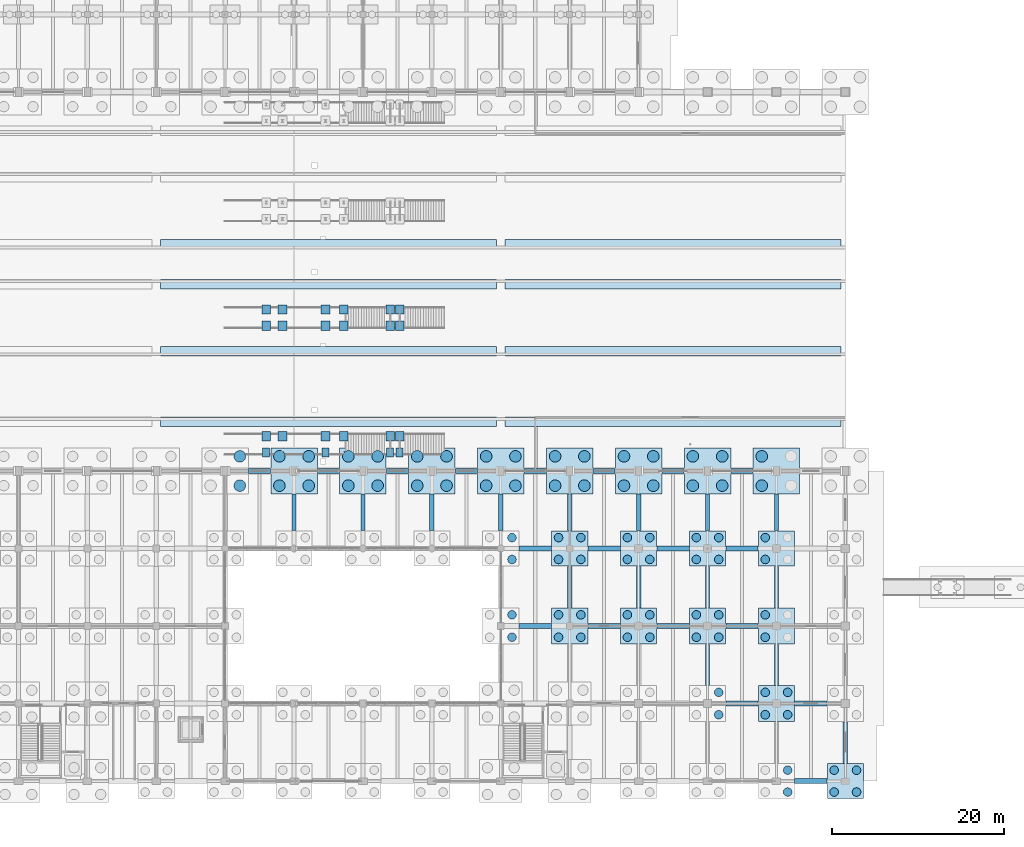
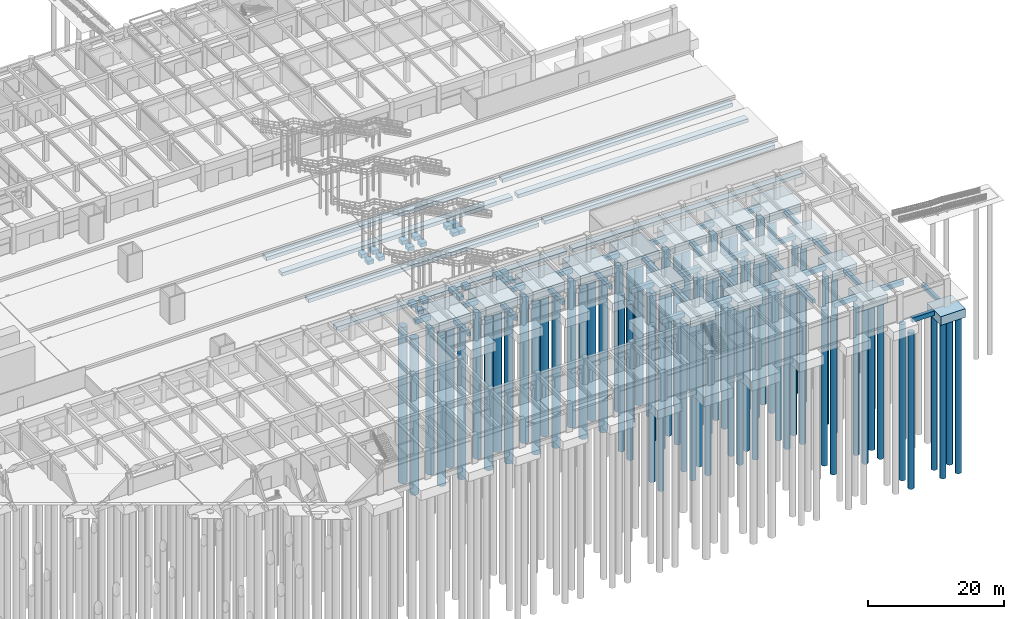
# One storey, part 8 of 147: 82 footings, 76 piles.
"""IFC4 building model written with IfcOpenShell, lengths in metres."""

from ifc_helpers import new_model, si_unit, direction, frame, origin, origin_2d, place, context, subcontext, project, spatial, rectangle, circle, extrude, material, layer, layer_set, material_profile, profile_set, type_object, element, save


model = new_model("IFC4")

# Units and contexts
model_context = context("Model", 3, precision=1e-05, world=origin(), true_north=direction((0.0, 1.0)))
body_context = subcontext(model_context, "Body", "Model", "MODEL_VIEW")
ifc_project = project(units=[si_unit("LENGTHUNIT", "METRE"), si_unit("AREAUNIT", "SQUARE_METRE"), si_unit("VOLUMEUNIT", "CUBIC_METRE"), si_unit("PLANEANGLEUNIT", "RADIAN"), si_unit("MASSUNIT", "GRAM", prefix="KILO")], contexts=[model_context])

# Site, building, storey
site_placement = place(None, origin())
site = spatial("IfcSite", under=ifc_project, at=site_placement, CompositionType="ELEMENT")
building_placement = place(site_placement, origin())
building = spatial("IfcBuilding", under=site, at=building_placement, Name="Varnabhumi Central Station", CompositionType="ELEMENT")
storey_placement = place(building_placement, origin())
storey = spatial("IfcBuildingStorey", under=building, at=storey_placement, Name="L00", CompositionType="ELEMENT", Elevation=0.0)

# Footings
ifc_material_1 = material(Name="Concrete M40", Category="concrete")
ifc_layer_1 = layer(ifc_material_1, 1.60009765625, Name="Concrete M40", Category="concrete")
ifc_layer_set_1 = layer_set([ifc_layer_1], Name="Concrete M40")
footing_type_1 = type_object("IfcFootingType", Name="CAP-SOUTH-INT", PredefinedType="PILE_CAP", material=ifc_layer_set_1)
for number, where, z_axis, x_axis, name in (
    (1, (152.0, 18.0, -1.900146484375), (0.0, 0.0, 1.0), (1.0, 0.0, 0.0), "Pile Cap 20-C"),
    (2, (160.0, 18.0, -1.900146484375), (0.0, 0.0, 1.0), (1.0, 0.0, 0.0), "Pile Cap 21-C"),
    (3, (168.0, 18.0, -1.900146484375), (0.0, 0.0, 1.0), (1.0, 0.0, 0.0), "Pile Cap 22-C"),
    (4, (176.0, 9.0, -1.900146484375), (0.0, 0.0, 1.0), (1.0, 0.0, 0.0), "Pile Cap 23-B"),
    (5, (176.0, 18.0, -1.900146484375), (0.0, 0.0, 1.0), (1.0, 0.0, 0.0), "Pile Cap 23-C"),
):
    element("IfcFooting", number, at=place(storey_placement, frame(where, z_axis=z_axis, x_axis=x_axis)), inside=storey, type_object=footing_type_1, Name=name, PredefinedType="PILE_CAP", context=body_context, shape_type="SweptSolid", body=[
        extrude(rectangle(XDim=4.199951171875, YDim=4.199951171875, at=origin_2d()), origin(), (0.0, 0.0, 1.0), 1.60009765625),
    ])
ifc_layer_2 = layer(ifc_material_1, 1.550048828125, Name="Concrete M40", Category="concrete")
ifc_layer_set_2 = layer_set([ifc_layer_2], Name="Concrete M40")
footing_type_2 = type_object("IfcFootingType", Name="CAP-SOUTH-PER", PredefinedType="PILE_CAP", material=ifc_layer_set_2)
for number, where, z_axis, x_axis, name in (
    (6, (152.0, 27.0, -1.85009765625), (0.0, 0.0, 1.0), (1.0, 0.0, 0.0), "Pile Cap 20-D"),
    (7, (160.0, 27.0, -1.85009765625), (0.0, 0.0, 1.0), (1.0, 0.0, 0.0), "Pile Cap 21-D"),
    (8, (168.0, 27.0, -1.85009765625), (0.0, 0.0, 1.0), (1.0, 0.0, 0.0), "Pile Cap 22-D"),
    (9, (176.0, 27.0, -1.85009765625), (0.0, 0.0, 1.0), (1.0, 0.0, 0.0), "Pile Cap 23-D"),
    (10, (184.0, 0.0, -1.85009765625), (0.0, 0.0, 1.0), (1.0, 0.0, 0.0), "Pile Cap 24-A"),
):
    element("IfcFooting", number, at=place(storey_placement, frame(where, z_axis=z_axis, x_axis=x_axis)), inside=storey, type_object=footing_type_2, Name=name, PredefinedType="PILE_CAP", context=body_context, shape_type="SweptSolid", body=[
        extrude(rectangle(XDim=4.199951171875, YDim=4.10009765625, at=origin_2d()), origin(), (0.0, 0.0, 1.0), 1.550048828125),
    ])
ifc_layer_3 = layer(ifc_material_1, 1.800048828125, Name="Concrete M40", Category="concrete")
ifc_layer_set_3 = layer_set([ifc_layer_3], Name="Concrete M40")
footing_type_3 = type_object("IfcFootingType", Name="CAP-SPINE-HVY", PredefinedType="PILE_CAP", material=ifc_layer_set_3)
for number, where, z_axis, x_axis, name in (
    (11, (120.0, 36.0, -2.10009765625), (0.0, 0.0, 1.0), (1.0, 0.0, 0.0), "Pile Cap 16-E"),
    (12, (128.0, 36.0, -2.10009765625), (0.0, 0.0, 1.0), (1.0, 0.0, 0.0), "Pile Cap 17-E"),
    (13, (136.0, 36.0, -2.10009765625), (0.0, 0.0, 1.0), (1.0, 0.0, 0.0), "Pile Cap 18-E"),
    (14, (144.0, 36.0, -2.10009765625), (0.0, 0.0, 1.0), (1.0, 0.0, 0.0), "Pile Cap 19-E"),
    (15, (152.0, 36.0, -2.10009765625), (0.0, 0.0, 1.0), (1.0, 0.0, 0.0), "Pile Cap 20-E"),
    (16, (160.0, 36.0, -2.10009765625), (0.0, 0.0, 1.0), (1.0, 0.0, 0.0), "Pile Cap 21-E"),
    (17, (168.0, 36.0, -2.10009765625), (0.0, 0.0, 1.0), (1.0, 0.0, 0.0), "Pile Cap 22-E"),
    (18, (176.0, 36.0, -2.10009765625), (0.0, 0.0, 1.0), (1.0, 0.0, 0.0), "Pile Cap 23-E"),
):
    element("IfcFooting", number, at=place(storey_placement, frame(where, z_axis=z_axis, x_axis=x_axis)), inside=storey, type_object=footing_type_3, Name=name, PredefinedType="PILE_CAP", context=body_context, shape_type="SweptSolid", body=[
        extrude(rectangle(XDim=5.39990234375, YDim=5.300048828125, at=origin_2d()), origin(), (0.0, 0.0, 1.0), 1.800048828125),
    ])
footing_type_4 = type_object("IfcFootingType", Name="FTG-STRIP-PLAT", PredefinedType="STRIP_FOOTING", material=ifc_material_1)
for number, where, z_axis, x_axis, name in (
    (19, (124.0, 41.699951171875, -1.905029296875), (0.0, 0.0, 1.0), (1.0, 0.0, 0.0), "Platform Strip Footing PLAT-1-2-1"),
    (20, (164.0, 41.699951171875, -1.905029296875), (0.0, 0.0, 1.0), (1.0, 0.0, 0.0), "Platform Strip Footing PLAT-1-2-2"),
    (21, (124.0, 49.89990234375, -1.905029296875), (0.0, 0.0, 1.0), (1.0, 0.0, 0.0), "Platform Strip Footing PLAT-2-1-1"),
    (22, (164.0, 49.89990234375, -1.905029296875), (0.0, 0.0, 1.0), (1.0, 0.0, 0.0), "Platform Strip Footing PLAT-2-1-2"),
    (23, (124.0, 57.699951171875, -1.905029296875), (0.0, 0.0, 1.0), (1.0, 0.0, 0.0), "Platform Strip Footing PLAT-2-2-1"),
    (24, (164.0, 57.699951171875, -1.905029296875), (0.0, 0.0, 1.0), (1.0, 0.0, 0.0), "Platform Strip Footing PLAT-2-2-2"),
    (25, (124.0, 62.300048828125, -1.905029296875), (0.0, 0.0, 1.0), (1.0, 0.0, 0.0), "Platform Strip Footing PLAT-3-1-1"),
    (26, (164.0, 62.300048828125, -1.905029296875), (0.0, 0.0, 1.0), (1.0, 0.0, 0.0), "Platform Strip Footing PLAT-3-1-2"),
):
    element("IfcFooting", number, at=place(storey_placement, frame(where, z_axis=z_axis, x_axis=x_axis)), inside=storey, type_object=footing_type_4, Name=name, PredefinedType="STRIP_FOOTING", context=body_context, shape_type="SweptSolid", body=[
        extrude(rectangle(XDim=39.0, YDim=1.10009765625, at=origin_2d()), origin(), (0.0, 0.0, 1.0), 0.64990234375),
    ])
footing_1_placement = place(storey_placement, frame((131.14990234375, 38.14990234375, -1.0498046875), z_axis=(0.0, 0.0, 1.0), x_axis=(1.0, 0.0, 0.0)))
element("IfcFooting", 27, at=footing_1_placement, inside=storey, type_object=footing_type_4, Name="Stair Post Footing P1-p1_l0mid-1S", PredefinedType="STRIP_FOOTING", context=body_context, shape_type="SweptSolid", body=[
    extrude(rectangle(XDim=0.800048828125, YDim=1.0, at=origin_2d()), origin(), (0.0, 0.0, 1.0), 0.699951171875),
])
footing_2_placement = place(storey_placement, frame((131.14990234375, 40.050048828125, -1.0498046875), z_axis=(0.0, 0.0, 1.0), x_axis=(1.0, 0.0, 0.0)))
element("IfcFooting", 28, at=footing_2_placement, inside=storey, type_object=footing_type_4, Name="Stair Post Footing P1-p1_l0mid-1N", PredefinedType="STRIP_FOOTING", context=body_context, shape_type="SweptSolid", body=[
    extrude(rectangle(XDim=1.0, YDim=1.10009765625, at=origin_2d()), origin(), (0.0, 0.0, 1.0), 0.699951171875),
])
footing_3_placement = place(storey_placement, frame((132.25, 38.14990234375, -1.0498046875), z_axis=(0.0, 0.0, 1.0), x_axis=(1.0, 0.0, 0.0)))
element("IfcFooting", 29, at=footing_3_placement, inside=storey, type_object=footing_type_4, Name="Stair Post Footing P1-p1_l0mid-2S", PredefinedType="STRIP_FOOTING", context=body_context, shape_type="SweptSolid", body=[
    extrude(rectangle(XDim=0.800048828125, YDim=1.0, at=origin_2d()), origin(), (0.0, 0.0, 1.0), 0.699951171875),
])
footing_4_placement = place(storey_placement, frame((132.25, 40.050048828125, -1.0498046875), z_axis=(0.0, 0.0, 1.0), x_axis=(1.0, 0.0, 0.0)))
element("IfcFooting", 30, at=footing_4_placement, inside=storey, type_object=footing_type_4, Name="Stair Post Footing P1-p1_l0mid-2N", PredefinedType="STRIP_FOOTING", context=body_context, shape_type="SweptSolid", body=[
    extrude(rectangle(XDim=1.0, YDim=1.10009765625, at=origin_2d()), origin(), (0.0, 0.0, 1.0), 0.699951171875),
])
footing_5_placement = place(storey_placement, frame((123.64990234375, 38.14990234375, -1.0498046875), z_axis=(0.0, 0.0, 1.0), x_axis=(1.0, 0.0, 0.0)))
element("IfcFooting", 31, at=footing_5_placement, inside=storey, type_object=footing_type_4, Name="Stair Post Footing P1-p1_l1xfer-1S", PredefinedType="STRIP_FOOTING", context=body_context, shape_type="SweptSolid", body=[
    extrude(rectangle(XDim=0.800048828125, YDim=1.0, at=origin_2d()), origin(), (0.0, 0.0, 1.0), 0.699951171875),
])
for number, where, z_axis, x_axis, name in (
    (32, (123.64990234375, 40.050048828125, -1.0498046875), (0.0, 0.0, 1.0), (1.0, 0.0, 0.0), "Stair Post Footing P1-p1_l1xfer-1N"),
    (33, (125.75, 40.050048828125, -1.0498046875), (0.0, 0.0, 1.0), (1.0, 0.0, 0.0), "Stair Post Footing P1-p1_l1xfer-2N"),
):
    element("IfcFooting", number, at=place(storey_placement, frame(where, z_axis=z_axis, x_axis=x_axis)), inside=storey, type_object=footing_type_4, Name=name, PredefinedType="STRIP_FOOTING", context=body_context, shape_type="SweptSolid", body=[
        extrude(rectangle(XDim=1.0, YDim=1.10009765625, at=origin_2d()), origin(), (0.0, 0.0, 1.0), 0.699951171875),
    ])
footing_6_placement = place(storey_placement, frame((116.75, 38.14990234375, -1.0498046875), z_axis=(0.0, 0.0, 1.0), x_axis=(1.0, 0.0, 0.0)))
element("IfcFooting", 34, at=footing_6_placement, inside=storey, type_object=footing_type_4, Name="Stair Post Footing P1-p1_l1mid-1S", PredefinedType="STRIP_FOOTING", context=body_context, shape_type="SweptSolid", body=[
    extrude(rectangle(XDim=0.800048828125, YDim=1.0, at=origin_2d()), origin(), (0.0, 0.0, 1.0), 0.699951171875),
])
for number, where, z_axis, x_axis, name in (
    (35, (116.75, 40.050048828125, -1.0498046875), (0.0, 0.0, 1.0), (1.0, 0.0, 0.0), "Stair Post Footing P1-p1_l1mid-1N"),
    (36, (118.64990234375, 40.050048828125, -1.0498046875), (0.0, 0.0, 1.0), (1.0, 0.0, 0.0), "Stair Post Footing P1-p1_l1mid-2N"),
    (37, (131.14990234375, 52.85009765625, -1.0498046875), (0.0, 0.0, 1.0), (1.0, 0.0, 0.0), "Stair Post Footing P2-p2_l0mid-1S"),
    (38, (131.14990234375, 54.75, -1.0498046875), (0.0, 0.0, 1.0), (1.0, 0.0, 0.0), "Stair Post Footing P2-p2_l0mid-1N"),
    (39, (132.25, 52.85009765625, -1.0498046875), (0.0, 0.0, 1.0), (1.0, 0.0, 0.0), "Stair Post Footing P2-p2_l0mid-2S"),
    (40, (132.25, 54.75, -1.0498046875), (0.0, 0.0, 1.0), (1.0, 0.0, 0.0), "Stair Post Footing P2-p2_l0mid-2N"),
    (41, (123.64990234375, 52.85009765625, -1.0498046875), (0.0, 0.0, 1.0), (1.0, 0.0, 0.0), "Stair Post Footing P2-p2_l1xfer-1S"),
    (42, (123.64990234375, 54.75, -1.0498046875), (0.0, 0.0, 1.0), (1.0, 0.0, 0.0), "Stair Post Footing P2-p2_l1xfer-1N"),
    (43, (125.75, 52.85009765625, -1.0498046875), (0.0, 0.0, 1.0), (1.0, 0.0, 0.0), "Stair Post Footing P2-p2_l1xfer-2S"),
    (44, (125.75, 54.75, -1.0498046875), (0.0, 0.0, 1.0), (1.0, 0.0, 0.0), "Stair Post Footing P2-p2_l1xfer-2N"),
    (45, (116.75, 52.85009765625, -1.0498046875), (0.0, 0.0, 1.0), (1.0, 0.0, 0.0), "Stair Post Footing P2-p2_l1mid-1S"),
    (46, (116.75, 54.75, -1.0498046875), (0.0, 0.0, 1.0), (1.0, 0.0, 0.0), "Stair Post Footing P2-p2_l1mid-1N"),
    (47, (118.64990234375, 52.85009765625, -1.0498046875), (0.0, 0.0, 1.0), (1.0, 0.0, 0.0), "Stair Post Footing P2-p2_l1mid-2S"),
    (48, (118.64990234375, 54.75, -1.0498046875), (0.0, 0.0, 1.0), (1.0, 0.0, 0.0), "Stair Post Footing P2-p2_l1mid-2N"),
):
    element("IfcFooting", number, at=place(storey_placement, frame(where, z_axis=z_axis, x_axis=x_axis)), inside=storey, type_object=footing_type_4, Name=name, PredefinedType="STRIP_FOOTING", context=body_context, shape_type="SweptSolid", body=[
        extrude(rectangle(XDim=1.0, YDim=1.10009765625, at=origin_2d()), origin(), (0.0, 0.0, 1.0), 0.699951171875),
    ])
footing_type_5 = type_object("IfcFootingType", Name="FTG-TIE-500x700", PredefinedType="FOOTING_BEAM", material=ifc_material_1)
for number, where, z_axis, x_axis, name in (
    (49, (120.0, 31.199951171875, -1.0), (0.0, 0.0, 1.0), (1.0, 0.0, 0.0), "Plinth Tie Beam 16:D-E"),
    (50, (128.0, 31.199951171875, -1.0), (0.0, 0.0, 1.0), (1.0, 0.0, 0.0), "Plinth Tie Beam 17:D-E"),
    (51, (136.0, 31.199951171875, -1.0), (0.0, 0.0, 1.0), (1.0, 0.0, 0.0), "Plinth Tie Beam 18:D-E"),
    (52, (144.0, 31.199951171875, -1.0), (0.0, 0.0, 1.0), (1.0, 0.0, 0.0), "Plinth Tie Beam 19:D-E"),
):
    element("IfcFooting", number, at=place(storey_placement, frame(where, z_axis=z_axis, x_axis=x_axis)), inside=storey, type_object=footing_type_5, Name=name, PredefinedType="FOOTING_BEAM", context=body_context, shape_type="SweptSolid", body=[
        extrude(rectangle(XDim=0.5, YDim=4.260009765625, at=origin_2d()), origin(), (0.0, 0.0, 1.0), 0.699951171875),
    ])
footing_7_placement = place(storey_placement, frame((152.0, 22.52490234375, -1.0), z_axis=(0.0, 0.0, 1.0), x_axis=(1.0, 0.0, 0.0)))
element("IfcFooting", 53, at=footing_7_placement, inside=storey, type_object=footing_type_5, Name="Plinth Tie Beam 20:C-D", PredefinedType="FOOTING_BEAM", context=body_context, shape_type="SweptSolid", body=[
    extrude(rectangle(XDim=0.5, YDim=4.81005859375, at=origin_2d()), origin(), (0.0, 0.0, 1.0), 0.699951171875),
])
footing_8_placement = place(storey_placement, frame((152.0, 31.199951171875, -1.0), z_axis=(0.0, 0.0, 1.0), x_axis=(1.0, 0.0, 0.0)))
element("IfcFooting", 54, at=footing_8_placement, inside=storey, type_object=footing_type_5, Name="Plinth Tie Beam 20:D-E", PredefinedType="FOOTING_BEAM", context=body_context, shape_type="SweptSolid", body=[
    extrude(rectangle(XDim=0.5, YDim=4.260009765625, at=origin_2d()), origin(), (0.0, 0.0, 1.0), 0.699951171875),
])
footing_9_placement = place(storey_placement, frame((160.0, 22.52490234375, -1.0), z_axis=(0.0, 0.0, 1.0), x_axis=(1.0, 0.0, 0.0)))
element("IfcFooting", 55, at=footing_9_placement, inside=storey, type_object=footing_type_5, Name="Plinth Tie Beam 21:C-D", PredefinedType="FOOTING_BEAM", context=body_context, shape_type="SweptSolid", body=[
    extrude(rectangle(XDim=0.5, YDim=4.81005859375, at=origin_2d()), origin(), (0.0, 0.0, 1.0), 0.699951171875),
])
footing_10_placement = place(storey_placement, frame((160.0, 31.199951171875, -1.0), z_axis=(0.0, 0.0, 1.0), x_axis=(1.0, 0.0, 0.0)))
element("IfcFooting", 56, at=footing_10_placement, inside=storey, type_object=footing_type_5, Name="Plinth Tie Beam 21:D-E", PredefinedType="FOOTING_BEAM", context=body_context, shape_type="SweptSolid", body=[
    extrude(rectangle(XDim=0.5, YDim=4.260009765625, at=origin_2d()), origin(), (0.0, 0.0, 1.0), 0.699951171875),
])
footing_11_placement = place(storey_placement, frame((168.0, 13.5, -1.0), z_axis=(0.0, 0.0, 1.0), x_axis=(1.0, 0.0, 0.0)))
element("IfcFooting", 57, at=footing_11_placement, inside=storey, type_object=footing_type_5, Name="Plinth Tie Beam 22:B-C", PredefinedType="FOOTING_BEAM", context=body_context, shape_type="SweptSolid", body=[
    extrude(rectangle(XDim=0.5, YDim=4.760009765625, at=origin_2d()), origin(), (0.0, 0.0, 1.0), 0.699951171875),
])
footing_12_placement = place(storey_placement, frame((168.0, 22.52490234375, -1.0), z_axis=(0.0, 0.0, 1.0), x_axis=(1.0, 0.0, 0.0)))
element("IfcFooting", 58, at=footing_12_placement, inside=storey, type_object=footing_type_5, Name="Plinth Tie Beam 22:C-D", PredefinedType="FOOTING_BEAM", context=body_context, shape_type="SweptSolid", body=[
    extrude(rectangle(XDim=0.5, YDim=4.81005859375, at=origin_2d()), origin(), (0.0, 0.0, 1.0), 0.699951171875),
])
footing_13_placement = place(storey_placement, frame((168.0, 31.199951171875, -1.0), z_axis=(0.0, 0.0, 1.0), x_axis=(1.0, 0.0, 0.0)))
element("IfcFooting", 59, at=footing_13_placement, inside=storey, type_object=footing_type_5, Name="Plinth Tie Beam 22:D-E", PredefinedType="FOOTING_BEAM", context=body_context, shape_type="SweptSolid", body=[
    extrude(rectangle(XDim=0.5, YDim=4.260009765625, at=origin_2d()), origin(), (0.0, 0.0, 1.0), 0.699951171875),
])
footing_14_placement = place(storey_placement, frame((176.0, 13.5, -1.0), z_axis=(0.0, 0.0, 1.0), x_axis=(1.0, 0.0, 0.0)))
element("IfcFooting", 60, at=footing_14_placement, inside=storey, type_object=footing_type_5, Name="Plinth Tie Beam 23:B-C", PredefinedType="FOOTING_BEAM", context=body_context, shape_type="SweptSolid", body=[
    extrude(rectangle(XDim=0.5, YDim=4.760009765625, at=origin_2d()), origin(), (0.0, 0.0, 1.0), 0.699951171875),
])
footing_15_placement = place(storey_placement, frame((176.0, 22.52490234375, -1.0), z_axis=(0.0, 0.0, 1.0), x_axis=(1.0, 0.0, 0.0)))
element("IfcFooting", 61, at=footing_15_placement, inside=storey, type_object=footing_type_5, Name="Plinth Tie Beam 23:C-D", PredefinedType="FOOTING_BEAM", context=body_context, shape_type="SweptSolid", body=[
    extrude(rectangle(XDim=0.5, YDim=4.81005859375, at=origin_2d()), origin(), (0.0, 0.0, 1.0), 0.699951171875),
])
footing_16_placement = place(storey_placement, frame((176.0, 31.199951171875, -1.0), z_axis=(0.0, 0.0, 1.0), x_axis=(1.0, 0.0, 0.0)))
element("IfcFooting", 62, at=footing_16_placement, inside=storey, type_object=footing_type_5, Name="Plinth Tie Beam 23:D-E", PredefinedType="FOOTING_BEAM", context=body_context, shape_type="SweptSolid", body=[
    extrude(rectangle(XDim=0.5, YDim=4.260009765625, at=origin_2d()), origin(), (0.0, 0.0, 1.0), 0.699951171875),
])
footing_17_placement = place(storey_placement, frame((184.0, 4.47509765625, -1.0), z_axis=(0.0, 0.0, 1.0), x_axis=(1.0, 0.0, 0.0)))
element("IfcFooting", 63, at=footing_17_placement, inside=storey, type_object=footing_type_5, Name="Plinth Tie Beam 24:A-B", PredefinedType="FOOTING_BEAM", context=body_context, shape_type="SweptSolid", body=[
    extrude(rectangle(XDim=0.5, YDim=4.81005859375, at=origin_2d()), origin(), (0.0, 0.0, 1.0), 0.699951171875),
])
footing_type_6 = type_object("IfcFootingType", Name="FTG-TIE-600x800", PredefinedType="FOOTING_BEAM", material=ifc_material_1)
for number, where, z_axis, x_axis, name in (
    (64, (116.0, 36.0, -1.10009765625), (0.0, 0.0, 1.0), (1.0, 0.0, 0.0), "Plinth Tie Beam E:15-16"),
    (65, (124.0, 36.0, -1.10009765625), (0.0, 0.0, 1.0), (1.0, 0.0, 0.0), "Plinth Tie Beam E:16-17"),
    (66, (132.0, 36.0, -1.10009765625), (0.0, 0.0, 1.0), (1.0, 0.0, 0.0), "Plinth Tie Beam E:17-18"),
    (67, (140.0, 36.0, -1.10009765625), (0.0, 0.0, 1.0), (1.0, 0.0, 0.0), "Plinth Tie Beam E:18-19"),
):
    element("IfcFooting", number, at=place(storey_placement, frame(where, z_axis=z_axis, x_axis=x_axis)), inside=storey, type_object=footing_type_6, Name=name, PredefinedType="FOOTING_BEAM", context=body_context, shape_type="SweptSolid", body=[
        extrude(rectangle(XDim=2.56005859375, YDim=0.60009765625, at=origin_2d()), origin(), (0.0, 0.0, 1.0), 0.800048828125),
    ])
for number, where, z_axis, x_axis, name in (
    (68, (148.0, 18.0, -1.10009765625), (0.0, 0.0, 1.0), (1.0, 0.0, 0.0), "Plinth Tie Beam C:19-20"),
    (69, (148.0, 27.0, -1.10009765625), (0.0, 0.0, 1.0), (1.0, 0.0, 0.0), "Plinth Tie Beam D:19-20"),
):
    element("IfcFooting", number, at=place(storey_placement, frame(where, z_axis=z_axis, x_axis=x_axis)), inside=storey, type_object=footing_type_6, Name=name, PredefinedType="FOOTING_BEAM", context=body_context, shape_type="SweptSolid", body=[
        extrude(rectangle(XDim=3.760009765625, YDim=0.60009765625, at=origin_2d()), origin(), (0.0, 0.0, 1.0), 0.800048828125),
    ])
footing_18_placement = place(storey_placement, frame((148.0, 36.0, -1.10009765625), z_axis=(0.0, 0.0, 1.0), x_axis=(1.0, 0.0, 0.0)))
element("IfcFooting", 70, at=footing_18_placement, inside=storey, type_object=footing_type_6, Name="Plinth Tie Beam E:19-20", PredefinedType="FOOTING_BEAM", context=body_context, shape_type="SweptSolid", body=[
    extrude(rectangle(XDim=2.56005859375, YDim=0.60009765625, at=origin_2d()), origin(), (0.0, 0.0, 1.0), 0.800048828125),
])
for number, where, z_axis, x_axis, name in (
    (71, (156.0, 18.0, -1.10009765625), (0.0, 0.0, 1.0), (1.0, 0.0, 0.0), "Plinth Tie Beam C:20-21"),
    (72, (156.0, 27.0, -1.10009765625), (0.0, 0.0, 1.0), (1.0, 0.0, 0.0), "Plinth Tie Beam D:20-21"),
):
    element("IfcFooting", number, at=place(storey_placement, frame(where, z_axis=z_axis, x_axis=x_axis)), inside=storey, type_object=footing_type_6, Name=name, PredefinedType="FOOTING_BEAM", context=body_context, shape_type="SweptSolid", body=[
        extrude(rectangle(XDim=3.760009765625, YDim=0.60009765625, at=origin_2d()), origin(), (0.0, 0.0, 1.0), 0.800048828125),
    ])
footing_19_placement = place(storey_placement, frame((156.0, 36.0, -1.10009765625), z_axis=(0.0, 0.0, 1.0), x_axis=(1.0, 0.0, 0.0)))
element("IfcFooting", 73, at=footing_19_placement, inside=storey, type_object=footing_type_6, Name="Plinth Tie Beam E:20-21", PredefinedType="FOOTING_BEAM", context=body_context, shape_type="SweptSolid", body=[
    extrude(rectangle(XDim=2.56005859375, YDim=0.60009765625, at=origin_2d()), origin(), (0.0, 0.0, 1.0), 0.800048828125),
])
for number, where, z_axis, x_axis, name in (
    (74, (164.0, 18.0, -1.10009765625), (0.0, 0.0, 1.0), (1.0, 0.0, 0.0), "Plinth Tie Beam C:21-22"),
    (75, (164.0, 27.0, -1.10009765625), (0.0, 0.0, 1.0), (1.0, 0.0, 0.0), "Plinth Tie Beam D:21-22"),
):
    element("IfcFooting", number, at=place(storey_placement, frame(where, z_axis=z_axis, x_axis=x_axis)), inside=storey, type_object=footing_type_6, Name=name, PredefinedType="FOOTING_BEAM", context=body_context, shape_type="SweptSolid", body=[
        extrude(rectangle(XDim=3.760009765625, YDim=0.60009765625, at=origin_2d()), origin(), (0.0, 0.0, 1.0), 0.800048828125),
    ])
footing_20_placement = place(storey_placement, frame((164.0, 36.0, -1.10009765625), z_axis=(0.0, 0.0, 1.0), x_axis=(1.0, 0.0, 0.0)))
element("IfcFooting", 76, at=footing_20_placement, inside=storey, type_object=footing_type_6, Name="Plinth Tie Beam E:21-22", PredefinedType="FOOTING_BEAM", context=body_context, shape_type="SweptSolid", body=[
    extrude(rectangle(XDim=2.56005859375, YDim=0.60009765625, at=origin_2d()), origin(), (0.0, 0.0, 1.0), 0.800048828125),
])
for number, where, z_axis, x_axis, name in (
    (77, (172.0, 9.0, -1.10009765625), (0.0, 0.0, 1.0), (1.0, 0.0, 0.0), "Plinth Tie Beam B:22-23"),
    (78, (172.0, 18.0, -1.10009765625), (0.0, 0.0, 1.0), (1.0, 0.0, 0.0), "Plinth Tie Beam C:22-23"),
    (79, (172.0, 27.0, -1.10009765625), (0.0, 0.0, 1.0), (1.0, 0.0, 0.0), "Plinth Tie Beam D:22-23"),
):
    element("IfcFooting", number, at=place(storey_placement, frame(where, z_axis=z_axis, x_axis=x_axis)), inside=storey, type_object=footing_type_6, Name=name, PredefinedType="FOOTING_BEAM", context=body_context, shape_type="SweptSolid", body=[
        extrude(rectangle(XDim=3.760009765625, YDim=0.60009765625, at=origin_2d()), origin(), (0.0, 0.0, 1.0), 0.800048828125),
    ])
footing_21_placement = place(storey_placement, frame((172.0, 36.0, -1.10009765625), z_axis=(0.0, 0.0, 1.0), x_axis=(1.0, 0.0, 0.0)))
element("IfcFooting", 80, at=footing_21_placement, inside=storey, type_object=footing_type_6, Name="Plinth Tie Beam E:22-23", PredefinedType="FOOTING_BEAM", context=body_context, shape_type="SweptSolid", body=[
    extrude(rectangle(XDim=2.56005859375, YDim=0.60009765625, at=origin_2d()), origin(), (0.0, 0.0, 1.0), 0.800048828125),
])
for number, where, z_axis, x_axis, name in (
    (81, (180.0, 0.0, -1.10009765625), (0.0, 0.0, 1.0), (1.0, 0.0, 0.0), "Plinth Tie Beam A:23-24"),
    (82, (180.0, 9.0, -1.10009765625), (0.0, 0.0, 1.0), (1.0, 0.0, 0.0), "Plinth Tie Beam B:23-24"),
):
    element("IfcFooting", number, at=place(storey_placement, frame(where, z_axis=z_axis, x_axis=x_axis)), inside=storey, type_object=footing_type_6, Name=name, PredefinedType="FOOTING_BEAM", context=body_context, shape_type="SweptSolid", body=[
        extrude(rectangle(XDim=3.760009765625, YDim=0.60009765625, at=origin_2d()), origin(), (0.0, 0.0, 1.0), 0.800048828125),
    ])

# Piles
ifc_material_2 = material(Name="Concrete M35", Category="concrete")
ifc_material_profile_1 = material_profile(ifc_material_2, circle(Radius=0.5, at=origin_2d()), Name="Concrete M35", Category="concrete")
ifc_profile_set_1 = profile_set([ifc_material_profile_1], Name="Concrete M35")
pile_type_1 = type_object("IfcPileType", Name="PILE-D1000", PredefinedType="BORED", material=ifc_profile_set_1)
for number, where, z_axis, x_axis, name in (
    (83, (145.300048828125, 16.699951171875, -1.800048828125), (0.0, 0.0, -1.0), (1.0, 0.0, 0.0), "Bored Pile 19-C-P2"),
    (84, (145.300048828125, 19.300048828125, -1.800048828125), (0.0, 0.0, -1.0), (1.0, 0.0, 0.0), "Bored Pile 19-C-P4"),
    (85, (145.300048828125, 25.72998046875, -1.75), (0.0, 0.0, -1.0), (1.0, 0.0, 0.0), "Bored Pile 19-D-P2"),
    (86, (145.300048828125, 28.27001953125, -1.75), (0.0, 0.0, -1.0), (1.0, 0.0, 0.0), "Bored Pile 19-D-P4"),
    (87, (150.699951171875, 16.699951171875, -1.800048828125), (0.0, 0.0, -1.0), (1.0, 0.0, 0.0), "Bored Pile 20-C-P1"),
    (88, (153.300048828125, 16.699951171875, -1.800048828125), (0.0, 0.0, -1.0), (1.0, 0.0, 0.0), "Bored Pile 20-C-P2"),
    (89, (150.699951171875, 19.300048828125, -1.800048828125), (0.0, 0.0, -1.0), (1.0, 0.0, 0.0), "Bored Pile 20-C-P3"),
    (90, (153.300048828125, 19.300048828125, -1.800048828125), (0.0, 0.0, -1.0), (1.0, 0.0, 0.0), "Bored Pile 20-C-P4"),
    (91, (150.699951171875, 25.72998046875, -1.75), (0.0, 0.0, -1.0), (1.0, 0.0, 0.0), "Bored Pile 20-D-P1"),
    (92, (153.300048828125, 25.72998046875, -1.75), (0.0, 0.0, -1.0), (1.0, 0.0, 0.0), "Bored Pile 20-D-P2"),
    (93, (150.699951171875, 28.27001953125, -1.75), (0.0, 0.0, -1.0), (1.0, 0.0, 0.0), "Bored Pile 20-D-P3"),
    (94, (153.300048828125, 28.27001953125, -1.75), (0.0, 0.0, -1.0), (1.0, 0.0, 0.0), "Bored Pile 20-D-P4"),
    (95, (158.699951171875, 16.699951171875, -1.800048828125), (0.0, 0.0, -1.0), (1.0, 0.0, 0.0), "Bored Pile 21-C-P1"),
    (96, (161.300048828125, 16.699951171875, -1.800048828125), (0.0, 0.0, -1.0), (1.0, 0.0, 0.0), "Bored Pile 21-C-P2"),
    (97, (158.699951171875, 19.300048828125, -1.800048828125), (0.0, 0.0, -1.0), (1.0, 0.0, 0.0), "Bored Pile 21-C-P3"),
    (98, (161.300048828125, 19.300048828125, -1.800048828125), (0.0, 0.0, -1.0), (1.0, 0.0, 0.0), "Bored Pile 21-C-P4"),
    (99, (158.699951171875, 25.72998046875, -1.75), (0.0, 0.0, -1.0), (1.0, 0.0, 0.0), "Bored Pile 21-D-P1"),
    (100, (161.300048828125, 25.72998046875, -1.75), (0.0, 0.0, -1.0), (1.0, 0.0, 0.0), "Bored Pile 21-D-P2"),
    (101, (158.699951171875, 28.27001953125, -1.75), (0.0, 0.0, -1.0), (1.0, 0.0, 0.0), "Bored Pile 21-D-P3"),
    (102, (161.300048828125, 28.27001953125, -1.75), (0.0, 0.0, -1.0), (1.0, 0.0, 0.0), "Bored Pile 21-D-P4"),
    (103, (169.300048828125, 7.699951171875, -1.800048828125), (0.0, 0.0, -1.0), (1.0, 0.0, 0.0), "Bored Pile 22-B-P2"),
    (104, (169.300048828125, 10.300048828125, -1.800048828125), (0.0, 0.0, -1.0), (1.0, 0.0, 0.0), "Bored Pile 22-B-P4"),
    (105, (166.699951171875, 16.699951171875, -1.800048828125), (0.0, 0.0, -1.0), (1.0, 0.0, 0.0), "Bored Pile 22-C-P1"),
    (106, (169.300048828125, 16.699951171875, -1.800048828125), (0.0, 0.0, -1.0), (1.0, 0.0, 0.0), "Bored Pile 22-C-P2"),
    (107, (166.699951171875, 19.300048828125, -1.800048828125), (0.0, 0.0, -1.0), (1.0, 0.0, 0.0), "Bored Pile 22-C-P3"),
    (108, (169.300048828125, 19.300048828125, -1.800048828125), (0.0, 0.0, -1.0), (1.0, 0.0, 0.0), "Bored Pile 22-C-P4"),
    (109, (166.699951171875, 25.72998046875, -1.75), (0.0, 0.0, -1.0), (1.0, 0.0, 0.0), "Bored Pile 22-D-P1"),
    (110, (169.300048828125, 25.72998046875, -1.75), (0.0, 0.0, -1.0), (1.0, 0.0, 0.0), "Bored Pile 22-D-P2"),
    (111, (166.699951171875, 28.27001953125, -1.75), (0.0, 0.0, -1.0), (1.0, 0.0, 0.0), "Bored Pile 22-D-P3"),
    (112, (169.300048828125, 28.27001953125, -1.75), (0.0, 0.0, -1.0), (1.0, 0.0, 0.0), "Bored Pile 22-D-P4"),
    (113, (177.300048828125, -1.27001953125, -1.75), (0.0, 0.0, -1.0), (1.0, 0.0, 0.0), "Bored Pile 23-A-P2"),
    (114, (177.300048828125, 1.27001953125, -1.75), (0.0, 0.0, -1.0), (1.0, 0.0, 0.0), "Bored Pile 23-A-P4"),
    (115, (174.699951171875, 7.699951171875, -1.800048828125), (0.0, 0.0, -1.0), (1.0, 0.0, 0.0), "Bored Pile 23-B-P1"),
    (116, (177.300048828125, 7.699951171875, -1.800048828125), (0.0, 0.0, -1.0), (1.0, 0.0, 0.0), "Bored Pile 23-B-P2"),
    (117, (174.699951171875, 10.300048828125, -1.800048828125), (0.0, 0.0, -1.0), (1.0, 0.0, 0.0), "Bored Pile 23-B-P3"),
    (118, (177.300048828125, 10.300048828125, -1.800048828125), (0.0, 0.0, -1.0), (1.0, 0.0, 0.0), "Bored Pile 23-B-P4"),
    (119, (174.699951171875, 16.699951171875, -1.800048828125), (0.0, 0.0, -1.0), (1.0, 0.0, 0.0), "Bored Pile 23-C-P1"),
    (120, (174.699951171875, 19.300048828125, -1.800048828125), (0.0, 0.0, -1.0), (1.0, 0.0, 0.0), "Bored Pile 23-C-P3"),
    (121, (174.699951171875, 25.72998046875, -1.75), (0.0, 0.0, -1.0), (1.0, 0.0, 0.0), "Bored Pile 23-D-P1"),
    (122, (174.699951171875, 28.27001953125, -1.75), (0.0, 0.0, -1.0), (1.0, 0.0, 0.0), "Bored Pile 23-D-P3"),
    (123, (182.699951171875, -1.27001953125, -1.75), (0.0, 0.0, -1.0), (1.0, 0.0, 0.0), "Bored Pile 24-A-P1"),
    (124, (185.300048828125, -1.27001953125, -1.75), (0.0, 0.0, -1.0), (1.0, 0.0, 0.0), "Bored Pile 24-A-P2"),
    (125, (182.699951171875, 1.27001953125, -1.75), (0.0, 0.0, -1.0), (1.0, 0.0, 0.0), "Bored Pile 24-A-P3"),
    (126, (185.300048828125, 1.27001953125, -1.75), (0.0, 0.0, -1.0), (1.0, 0.0, 0.0), "Bored Pile 24-A-P4"),
):
    element("IfcPile", number, at=place(storey_placement, frame(where, z_axis=z_axis, x_axis=x_axis)), inside=storey, type_object=pile_type_1, Name=name, PredefinedType="BORED", context=body_context, shape_type="SweptSolid", body=[
        extrude(circle(Radius=0.5, at=origin_2d()), origin(), (0.0, 0.0, 1.0), 28.0),
    ])
ifc_material_profile_2 = material_profile(ifc_material_2, circle(Radius=0.675048828125, at=origin_2d()), Name="Concrete M35", Category="concrete")
ifc_profile_set_2 = profile_set([ifc_material_profile_2], Name="Concrete M35")
pile_type_2 = type_object("IfcPileType", Name="PILE-D1350", PredefinedType="BORED", material=ifc_profile_set_2)
for number, where, z_axis, x_axis, name in (
    (127, (113.699951171875, 34.300048828125, -2.0), (0.0, 0.0, -1.0), (1.0, 0.0, 0.0), "Bored Pile 15-E-P2"),
    (128, (113.699951171875, 37.699951171875, -2.0), (0.0, 0.0, -1.0), (1.0, 0.0, 0.0), "Bored Pile 15-E-P4"),
    (129, (118.300048828125, 34.300048828125, -2.0), (0.0, 0.0, -1.0), (1.0, 0.0, 0.0), "Bored Pile 16-E-P1"),
    (130, (121.699951171875, 34.300048828125, -2.0), (0.0, 0.0, -1.0), (1.0, 0.0, 0.0), "Bored Pile 16-E-P2"),
    (131, (118.300048828125, 37.699951171875, -2.0), (0.0, 0.0, -1.0), (1.0, 0.0, 0.0), "Bored Pile 16-E-P3"),
    (132, (121.699951171875, 37.699951171875, -2.0), (0.0, 0.0, -1.0), (1.0, 0.0, 0.0), "Bored Pile 16-E-P4"),
    (133, (126.300048828125, 34.300048828125, -2.0), (0.0, 0.0, -1.0), (1.0, 0.0, 0.0), "Bored Pile 17-E-P1"),
    (134, (129.699951171875, 34.300048828125, -2.0), (0.0, 0.0, -1.0), (1.0, 0.0, 0.0), "Bored Pile 17-E-P2"),
    (135, (126.300048828125, 37.699951171875, -2.0), (0.0, 0.0, -1.0), (1.0, 0.0, 0.0), "Bored Pile 17-E-P3"),
    (136, (129.699951171875, 37.699951171875, -2.0), (0.0, 0.0, -1.0), (1.0, 0.0, 0.0), "Bored Pile 17-E-P4"),
    (137, (134.300048828125, 34.300048828125, -2.0), (0.0, 0.0, -1.0), (1.0, 0.0, 0.0), "Bored Pile 18-E-P1"),
    (138, (137.699951171875, 34.300048828125, -2.0), (0.0, 0.0, -1.0), (1.0, 0.0, 0.0), "Bored Pile 18-E-P2"),
    (139, (134.300048828125, 37.699951171875, -2.0), (0.0, 0.0, -1.0), (1.0, 0.0, 0.0), "Bored Pile 18-E-P3"),
    (140, (137.699951171875, 37.699951171875, -2.0), (0.0, 0.0, -1.0), (1.0, 0.0, 0.0), "Bored Pile 18-E-P4"),
    (141, (142.300048828125, 34.300048828125, -2.0), (0.0, 0.0, -1.0), (1.0, 0.0, 0.0), "Bored Pile 19-E-P1"),
    (142, (145.699951171875, 34.300048828125, -2.0), (0.0, 0.0, -1.0), (1.0, 0.0, 0.0), "Bored Pile 19-E-P2"),
    (143, (142.300048828125, 37.699951171875, -2.0), (0.0, 0.0, -1.0), (1.0, 0.0, 0.0), "Bored Pile 19-E-P3"),
    (144, (145.699951171875, 37.699951171875, -2.0), (0.0, 0.0, -1.0), (1.0, 0.0, 0.0), "Bored Pile 19-E-P4"),
    (145, (150.300048828125, 34.300048828125, -2.0), (0.0, 0.0, -1.0), (1.0, 0.0, 0.0), "Bored Pile 20-E-P1"),
    (146, (153.699951171875, 34.300048828125, -2.0), (0.0, 0.0, -1.0), (1.0, 0.0, 0.0), "Bored Pile 20-E-P2"),
    (147, (150.300048828125, 37.699951171875, -2.0), (0.0, 0.0, -1.0), (1.0, 0.0, 0.0), "Bored Pile 20-E-P3"),
    (148, (153.699951171875, 37.699951171875, -2.0), (0.0, 0.0, -1.0), (1.0, 0.0, 0.0), "Bored Pile 20-E-P4"),
    (149, (158.300048828125, 34.300048828125, -2.0), (0.0, 0.0, -1.0), (1.0, 0.0, 0.0), "Bored Pile 21-E-P1"),
    (150, (161.699951171875, 34.300048828125, -2.0), (0.0, 0.0, -1.0), (1.0, 0.0, 0.0), "Bored Pile 21-E-P2"),
    (151, (158.300048828125, 37.699951171875, -2.0), (0.0, 0.0, -1.0), (1.0, 0.0, 0.0), "Bored Pile 21-E-P3"),
    (152, (161.699951171875, 37.699951171875, -2.0), (0.0, 0.0, -1.0), (1.0, 0.0, 0.0), "Bored Pile 21-E-P4"),
    (153, (166.300048828125, 34.300048828125, -2.0), (0.0, 0.0, -1.0), (1.0, 0.0, 0.0), "Bored Pile 22-E-P1"),
    (154, (169.699951171875, 34.300048828125, -2.0), (0.0, 0.0, -1.0), (1.0, 0.0, 0.0), "Bored Pile 22-E-P2"),
    (155, (166.300048828125, 37.699951171875, -2.0), (0.0, 0.0, -1.0), (1.0, 0.0, 0.0), "Bored Pile 22-E-P3"),
    (156, (169.699951171875, 37.699951171875, -2.0), (0.0, 0.0, -1.0), (1.0, 0.0, 0.0), "Bored Pile 22-E-P4"),
    (157, (174.300048828125, 34.300048828125, -2.0), (0.0, 0.0, -1.0), (1.0, 0.0, 0.0), "Bored Pile 23-E-P1"),
    (158, (174.300048828125, 37.699951171875, -2.0), (0.0, 0.0, -1.0), (1.0, 0.0, 0.0), "Bored Pile 23-E-P3"),
):
    element("IfcPile", number, at=place(storey_placement, frame(where, z_axis=z_axis, x_axis=x_axis)), inside=storey, type_object=pile_type_2, Name=name, PredefinedType="BORED", context=body_context, shape_type="SweptSolid", body=[
        extrude(circle(Radius=0.675048828125, at=origin_2d()), origin(), (0.0, 0.0, 1.0), 28.0),
    ])

save(model, "model.ifc")
